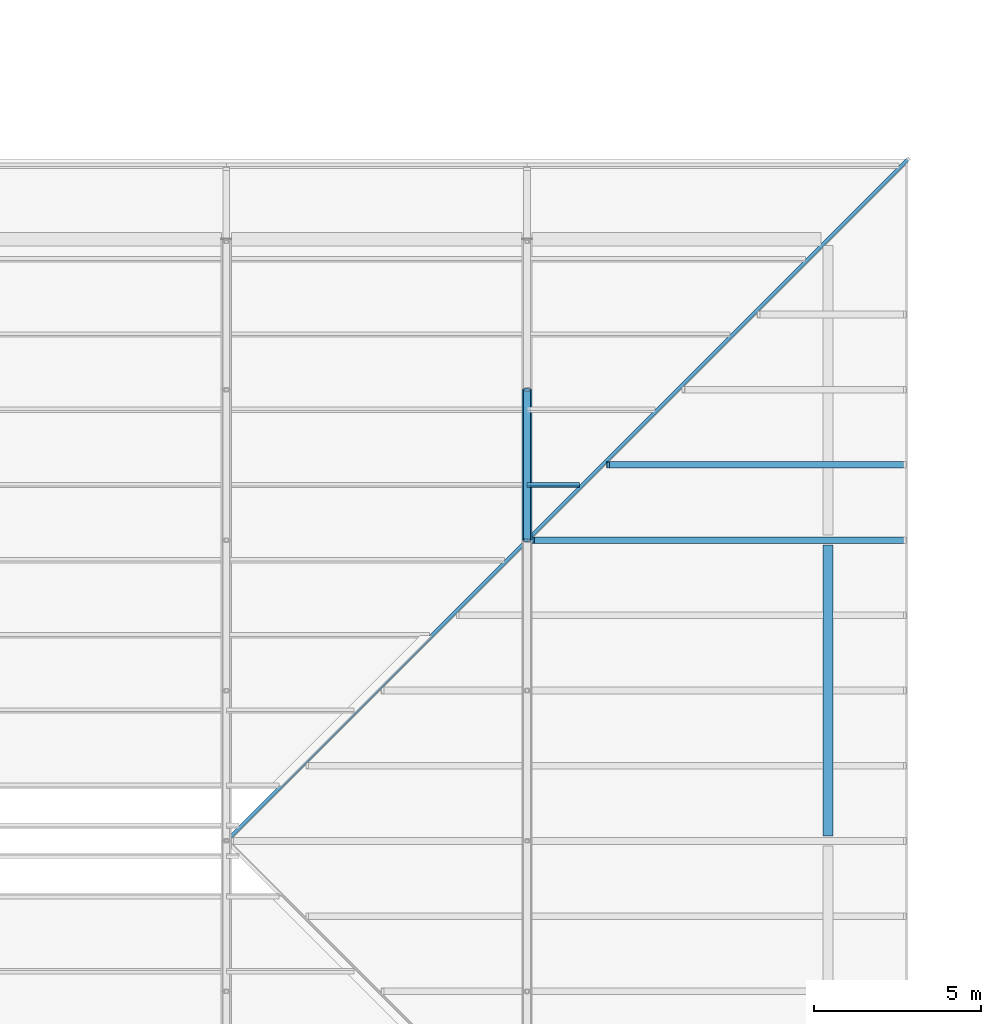
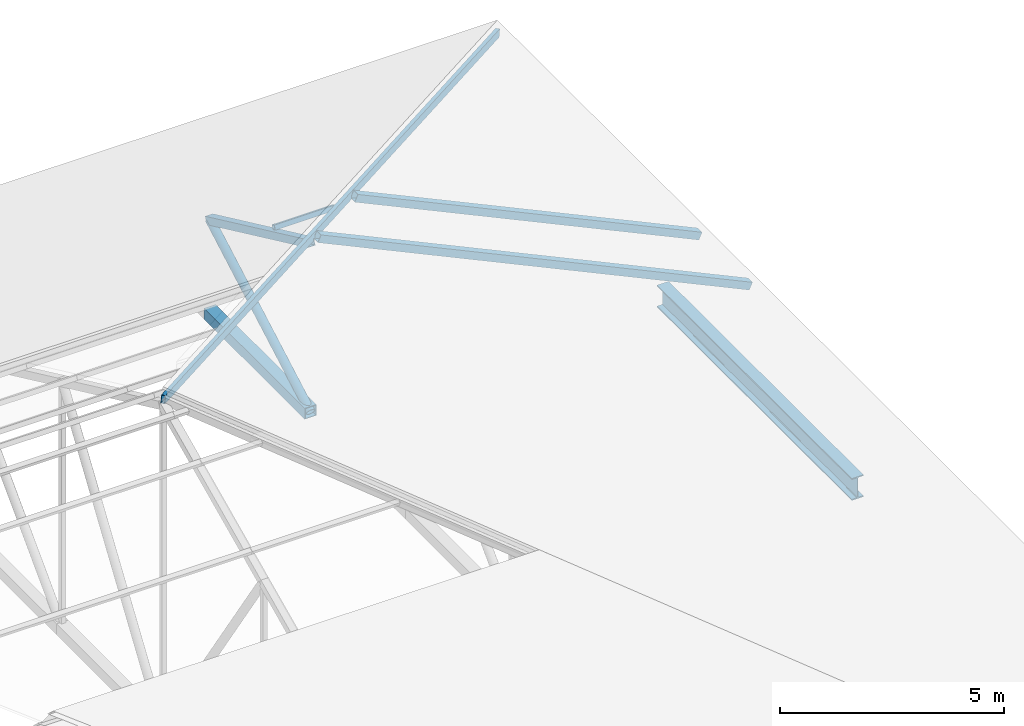
# One storey, part 75 of 154: 7 members, 1 beam.
"""IFC4 building model written with IfcOpenShell, lengths in metres."""

from ifc_helpers import new_model, si_unit, direction, frame, origin, origin_2d, place, context, subcontext, project, spatial, hollow_rectangle, hollow_circle, i_section, extrude, material, material_profile, profile_set, type_object, element, save


model = new_model("IFC4")

# Units and contexts
model_context = context("Model", 3, precision=1e-05, world=origin(), true_north=direction((0.0, 1.0)))
body_context = subcontext(model_context, "Body", "Model", "MODEL_VIEW")
ifc_project = project(units=[si_unit("LENGTHUNIT", "METRE"), si_unit("AREAUNIT", "SQUARE_METRE"), si_unit("VOLUMEUNIT", "CUBIC_METRE"), si_unit("PLANEANGLEUNIT", "RADIAN"), si_unit("MASSUNIT", "GRAM", prefix="KILO")], contexts=[model_context])

# Site, building, storey
site_placement = place(None, origin())
site = spatial("IfcSite", under=ifc_project, at=site_placement, CompositionType="ELEMENT")
building_placement = place(site_placement, origin())
building = spatial("IfcBuilding", under=site, at=building_placement, Name="Golden Quay Civic Hall", CompositionType="ELEMENT")
storey_placement = place(building_placement, frame((0.0, 0.0, 14.39990234375)))
storey = spatial("IfcBuildingStorey", under=building, at=storey_placement, Name="L03", CompositionType="ELEMENT", Elevation=14.39990234375)

# Beam
ifc_material_1 = material(Name="Steel S355", Category="steel")
ifc_material_profile_1 = material_profile(ifc_material_1, i_section(OverallWidth=0.300048828125, OverallDepth=0.60009765625, WebThickness=0.015380859375, FlangeThickness=0.030029296875, FilletRadius=0.027099609375, at=origin_2d()), Name="HEB 600")
ifc_profile_set_1 = profile_set([ifc_material_profile_1], Name="Steel S355")
beam_type = type_object("IfcBeamType", Name="Steel eaves girder HEB 600", PredefinedType="BEAM", material=ifc_profile_set_1)
beam_placement = place(storey_placement, frame((171.0, 81.14990234375, 0.050048828125), z_axis=(0.0, 1.0, 0.0), x_axis=(-1.0, 0.0, 0.0)))
element("IfcBeam", 1, at=beam_placement, inside=storey, type_object=beam_type, Name="Eaves girder 171-3 L03", PredefinedType="BEAM", context=body_context, shape_type="SweptSolid", body=[
    extrude(i_section(OverallWidth=0.300048828125, OverallDepth=0.60009765625, WebThickness=0.015380859375, FlangeThickness=0.030029296875, FilletRadius=0.027099609375, at=origin_2d()), origin(), (0.0, 0.0, 1.0), 8.7001953125),
])

# Members
ifc_material_2 = material(Name="Steel S355", Category="steel")
ifc_material_profile_2 = material_profile(ifc_material_2, hollow_rectangle(XDim=0.10009765625, YDim=0.199951171875, WallThickness=0.008056640625, at=origin_2d()), Name="RHS 200x100x8")
ifc_profile_set_2 = profile_set([ifc_material_profile_2], Name="Steel S355")
member_type_1 = type_object("IfcMemberType", Name="Steel hip rafter RHS 200x100x8", PredefinedType="RAFTER", material=ifc_profile_set_2)
member_1_placement = place(storey_placement, frame((173.39990234375, 101.39990234375, -0.663818359375), z_axis=(-0.671542486874, -0.671542486874, 0.313147531757), x_axis=(0.707106781187, -0.707106781187, 0.0)))
element("IfcMember", 2, at=member_1_placement, inside=storey, type_object=member_type_1, Name="Hip rafter north-east L03", PredefinedType="RAFTER", context=body_context, shape_type="SweptSolid", body=[
    extrude(hollow_rectangle(XDim=0.10009765625, YDim=0.199951171875, WallThickness=0.008056640625, at=origin_2d()), origin(), (0.0, 0.0, 1.0), 30.377685546875),
])
ifc_material_3 = material(Name="Steel S355", Category="steel")
ifc_material_profile_3 = material_profile(ifc_material_3, hollow_rectangle(XDim=0.199951171875, YDim=0.199951171875, WallThickness=0.010009765625, at=origin_2d()), Name="SHS 200x200x10")
ifc_profile_set_3 = profile_set([ifc_material_profile_3], Name="Steel S355")
member_type_2 = type_object("IfcMemberType", Name="Steel jack rafter SHS 200x200x10", PredefinedType="RAFTER", material=ifc_profile_set_3)
member_2_placement = place(storey_placement, frame((173.300048828125, 90.0, -0.56787109375), z_axis=(-0.9063131757, 0.0, 0.422606705523), x_axis=(0.0, -1.0, 0.0)))
element("IfcMember", 3, at=member_2_placement, inside=storey, type_object=member_type_2, Name="Jack rafter east 12 L03", PredefinedType="RAFTER", context=body_context, shape_type="SweptSolid", body=[
    extrude(hollow_rectangle(XDim=0.199951171875, YDim=0.199951171875, WallThickness=0.010009765625, at=origin_2d()), origin(), (0.0, 0.0, 1.0), 12.27490234375),
])
member_3_placement = place(storey_placement, frame((173.300048828125, 92.25, -0.56787109375), z_axis=(-0.906309849576, 0.0, 0.422613838583), x_axis=(0.0, -1.0, 0.0)))
element("IfcMember", 4, at=member_3_placement, inside=storey, type_object=member_type_2, Name="Jack rafter east 13 L03", PredefinedType="RAFTER", context=body_context, shape_type="SweptSolid", body=[
    extrude(hollow_rectangle(XDim=0.199951171875, YDim=0.199951171875, WallThickness=0.010009765625, at=origin_2d()), origin(), (0.0, 0.0, 1.0), 9.79248046875),
])
ifc_material_4 = material(Name="Steel S355", Category="steel")
ifc_material_profile_4 = material_profile(ifc_material_4, hollow_rectangle(XDim=0.1201171875, YDim=0.1201171875, WallThickness=0.008056640625, at=origin_2d()), Name="SHS 120x120x8")
ifc_profile_set_4 = profile_set([ifc_material_profile_4], Name="Steel S355")
member_type_3 = type_object("IfcMemberType", Name="Steel roof purlin SHS 120x120x8", PredefinedType="PURLIN", material=ifc_profile_set_4)
member_4_placement = place(storey_placement, frame((162.0, 91.64990234375, 3.931884765625), z_axis=(1.0, 0.0, 0.0), x_axis=(0.0, 0.906307787037, -0.422618261741)))
element("IfcMember", 5, at=member_4_placement, inside=storey, type_object=member_type_3, Name="Purlin north 5-6 L03", PredefinedType="PURLIN", context=body_context, shape_type="SweptSolid", body=[
    extrude(hollow_rectangle(XDim=0.1201171875, YDim=0.1201171875, WallThickness=0.008056640625, at=origin_2d()), origin(), (0.0, 0.0, 1.0), 1.574951171875),
])
ifc_material_5 = material(Name="Steel S355", Category="steel")
ifc_material_profile_5 = material_profile(ifc_material_5, hollow_rectangle(XDim=0.300048828125, YDim=0.300048828125, WallThickness=0.01611328125, at=origin_2d()), Name="SHS 300x300x16")
ifc_profile_set_5 = profile_set([ifc_material_profile_5], Name="Steel S355")
member_type_4 = type_object("IfcMemberType", Name="Steel truss bottom chord SHS 300x300x16", PredefinedType="USERDEFINED", material=ifc_profile_set_5)
member_5_placement = place(storey_placement, frame((162.0, 90.0, -0.099853515625), z_axis=(0.0, 1.0, 0.0), x_axis=(-1.0, 0.0, 0.0)))
element("IfcMember", 6, at=member_5_placement, inside=storey, type_object=member_type_4, Name="Truss 162 bottom chord 7 L03", ObjectType="TRUSS BOTTOM CHORD", PredefinedType="USERDEFINED", context=body_context, shape_type="SweptSolid", body=[
    extrude(hollow_rectangle(XDim=0.300048828125, YDim=0.300048828125, WallThickness=0.01611328125, at=origin_2d()), origin(), (0.0, 0.0, 1.0), 4.5),
])
ifc_material_6 = material(Name="Steel S355", Category="steel")
ifc_material_profile_6 = material_profile(ifc_material_6, hollow_circle(Radius=0.109619140625, WallThickness=0.010009765625, at=origin_2d()), Name="CHS 219.1x10")
ifc_profile_set_6 = profile_set([ifc_material_profile_6], Name="Steel S355")
member_type_5 = type_object("IfcMemberType", Name="Steel truss diagonal CHS 219.1x10", PredefinedType="BRACE", material=ifc_profile_set_6)
member_6_placement = place(storey_placement, frame((162.0, 90.0, -0.099853515625), z_axis=(0.0, 0.871979533951, 0.489542329499), x_axis=(-1.0, 0.0, 0.0)))
element("IfcMember", 7, at=member_6_placement, inside=storey, type_object=member_type_5, Name="Truss 162 diagonal 7 L03", PredefinedType="BRACE", context=body_context, shape_type="SweptSolid", body=[
    extrude(hollow_circle(Radius=0.109619140625, WallThickness=0.010009765625, at=origin_2d()), origin(), (0.0, 0.0, 1.0), 5.16064453125),
])
ifc_material_7 = material(Name="Steel S355", Category="steel")
ifc_material_profile_7 = material_profile(ifc_material_7, hollow_rectangle(XDim=0.199951171875, YDim=0.199951171875, WallThickness=0.010009765625, at=origin_2d()), Name="SHS 200x200x10")
ifc_profile_set_7 = profile_set([ifc_material_profile_7], Name="Steel S355")
member_type_6 = type_object("IfcMemberType", Name="Steel truss top chord SHS 200x200x10", PredefinedType="USERDEFINED", material=ifc_profile_set_7)
member_7_placement = place(storey_placement, frame((162.0, 90.0, 4.52490234375), z_axis=(0.0, 0.906307462258, -0.422618958231), x_axis=(-1.0, 0.0, 0.0)))
element("IfcMember", 8, at=member_7_placement, inside=storey, type_object=member_type_6, Name="Truss 162 top chord 8 L03", ObjectType="TRUSS TOP CHORD", PredefinedType="USERDEFINED", context=body_context, shape_type="SweptSolid", body=[
    extrude(hollow_rectangle(XDim=0.199951171875, YDim=0.199951171875, WallThickness=0.010009765625, at=origin_2d()), origin(), (0.0, 0.0, 1.0), 4.965087890625),
])

save(model, "model.ifc")
